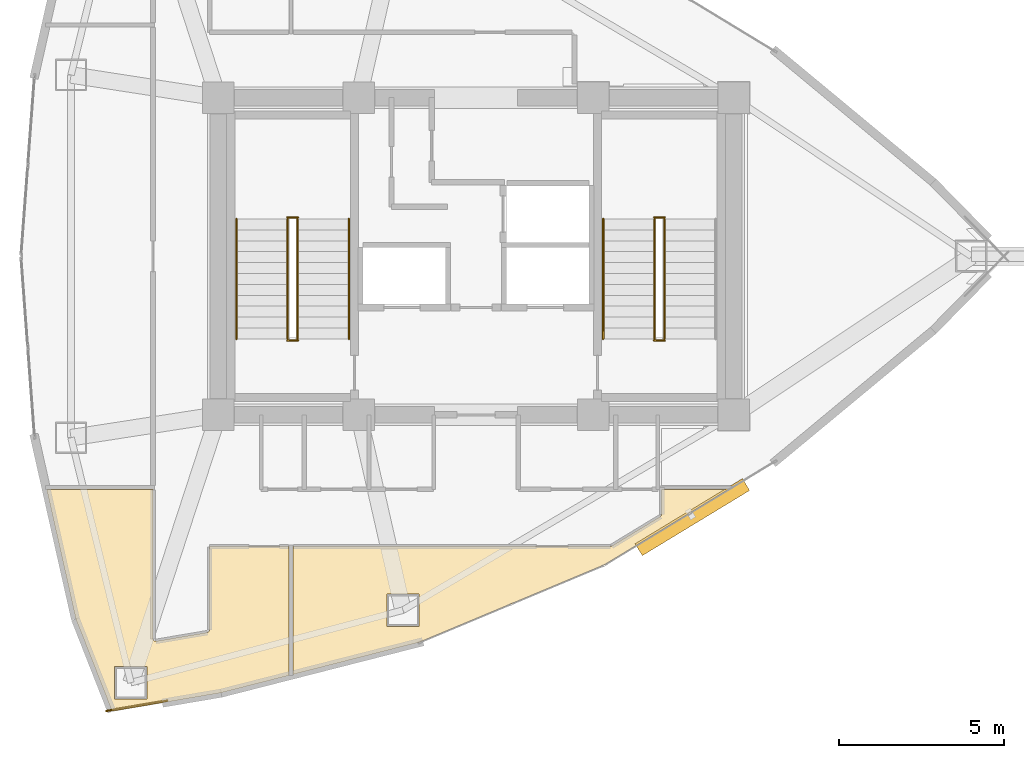
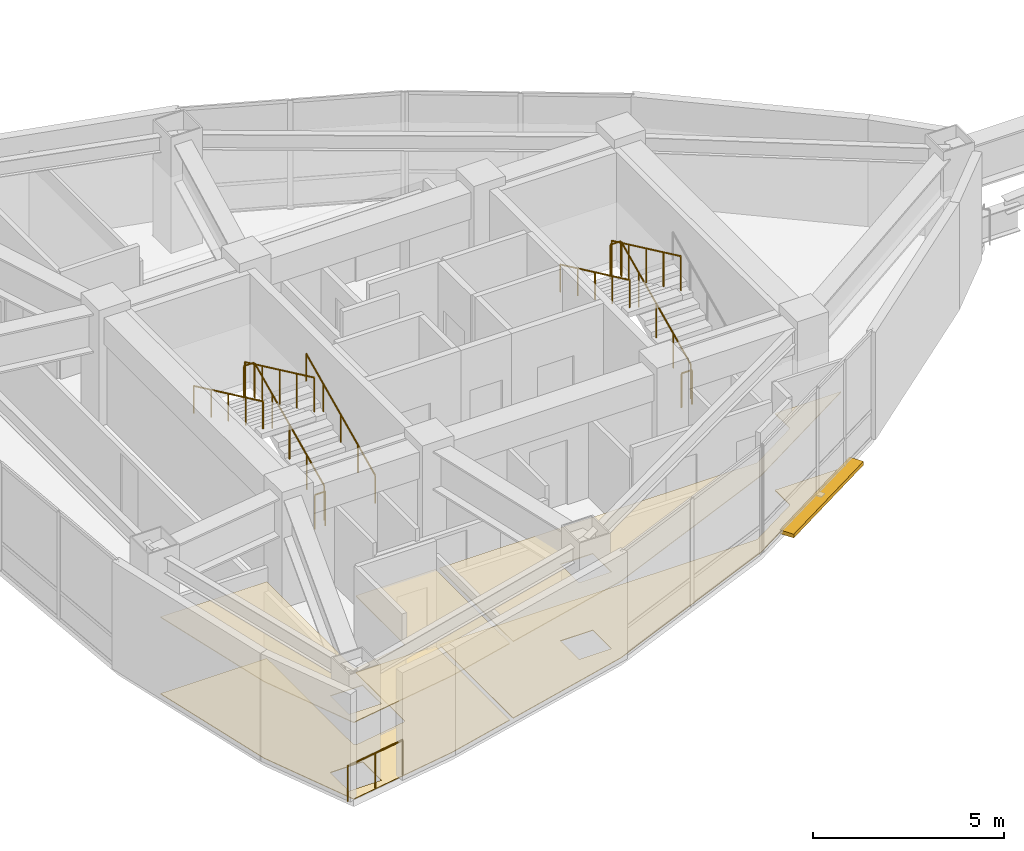
# One storey, part 14 of 15: 12 railings, 4 coverings, 1 shading device.
"""IFC4 building model written with IfcOpenShell, lengths in metres."""

from ifc_helpers import new_model, si_unit, direction, frame, origin, origin_2d, place, context, subcontext, project, spatial, polyline, rectangle, circle, outline, extrude, material, layer, layer_set, type_object, element, save


model = new_model("IFC4")

# Units and contexts
model_context = context("Model", 3, precision=1e-05, world=origin(), true_north=direction((0.0, 1.0)))
body_context = subcontext(model_context, "Body", "Model", "MODEL_VIEW")
ifc_project = project(units=[si_unit("LENGTHUNIT", "METRE"), si_unit("AREAUNIT", "SQUARE_METRE"), si_unit("VOLUMEUNIT", "CUBIC_METRE"), si_unit("PLANEANGLEUNIT", "RADIAN"), si_unit("MASSUNIT", "GRAM", prefix="KILO")], contexts=[model_context])

# Site, building, storey
site_placement = place(None, origin())
site = spatial("IfcSite", under=ifc_project, at=site_placement, CompositionType="ELEMENT")
building_placement = place(site_placement, origin())
building = spatial("IfcBuilding", under=site, at=building_placement, Name="Menara Vayukalpa", CompositionType="ELEMENT")
storey_placement = place(building_placement, frame((0.0, 0.0, 230.699951171875)))
storey = spatial("IfcBuildingStorey", under=building, at=storey_placement, Name="L58", CompositionType="ELEMENT", Elevation=230.699951171875)

# Coverings
ifc_material_1 = material(Name="Mineral Fibre Acoustic Ceiling Tile", Category="masonry")
ifc_layer_1 = layer(ifc_material_1, 0.02490234375)
ifc_layer_set_1 = layer_set([ifc_layer_1], Name="Mineral Fibre Acoustic Ceiling Tile")
covering_type_1 = type_object("IfcCoveringType", Name="COV-CLG1", PredefinedType="CEILING", material=ifc_layer_set_1)
covering_1_placement = place(storey_placement, frame((0.0, 0.0, 2.449951171875)))
element("IfcCovering", 1, at=covering_1_placement, inside=storey, type_object=covering_type_1, Name="L58 Corporate Training Classroom Acoustic Ceiling", PredefinedType="CEILING", context=body_context, shape_type="SweptSolid", body=[
    extrude(outline(polyline([(14.59423828125, 8.2314453125), (14.59326171875, 8.231201171875), (14.59228515625, 8.231201171875), (14.59130859375, 8.2314453125), (14.59033203125, 8.2314453125), (14.58935546875, 8.231689453125), (14.58837890625, 8.232177734375), (14.587646484375, 8.232666015625), (14.5869140625, 8.233154296875), (14.5859375, 8.233642578125), (14.585205078125, 8.234375), (14.584716796875, 8.235107421875), (14.583984375, 8.23583984375), (14.58349609375, 8.23681640625), (14.583251953125, 8.237548828125), (13.489013671875, 11.023681640625), (13.48876953125, 11.0244140625), (13.488525390625, 11.025146484375), (12.6103515625, 14.927734375), (12.6103515625, 14.9287109375), (12.610107421875, 14.9296875), (12.610107421875, 14.930908203125), (12.6103515625, 14.931884765625), (12.610595703125, 14.9326171875), (12.61083984375, 14.93359375), (12.611328125, 14.9345703125), (12.61181640625, 14.935302734375), (12.6123046875, 14.936279296875), (12.613037109375, 14.93701171875), (12.61376953125, 14.937744140625), (12.614501953125, 14.938232421875), (12.615478515625, 14.938720703125), (12.6162109375, 14.939208984375), (12.6171875, 14.939697265625), (12.6181640625, 14.939697265625), (12.619140625, 14.93994140625), (12.6201171875, 14.93994140625), (15.820068359375, 14.93994140625), (15.821044921875, 14.93994140625), (15.822021484375, 14.939697265625), (15.822998046875, 14.939697265625), (15.82373046875, 14.939208984375), (15.82470703125, 14.938720703125), (15.82568359375, 14.938232421875), (15.826416015625, 14.937744140625), (15.8271484375, 14.93701171875), (15.82763671875, 14.936279296875), (15.828369140625, 14.935546875), (15.828857421875, 14.934814453125), (15.8291015625, 14.933837890625), (15.82958984375, 14.932861328125), (15.829833984375, 14.931884765625), (15.830078125, 14.930908203125), (15.830078125, 14.929931640625), (15.830078125, 10.421142578125), (15.830322265625, 10.414306640625), (15.831298828125, 10.407470703125), (15.8330078125, 10.40087890625), (15.835205078125, 10.39453125), (15.837890625, 10.388427734375), (15.841552734375, 10.382568359375), (15.845458984375, 10.376953125), (15.849853515625, 10.3720703125), (15.854736328125, 10.367431640625), (15.860107421875, 10.36328125), (15.865966796875, 10.35986328125), (15.8720703125, 10.356689453125), (15.87841796875, 10.354248046875), (15.884765625, 10.3525390625), (15.8916015625, 10.351318359375), (15.898193359375, 10.350830078125), (15.905029296875, 10.35107421875), (15.912109375, 10.351806640625), (17.471435546875, 10.61669921875), (17.478515625, 10.6181640625), (17.485107421875, 10.62060546875), (17.49169921875, 10.623291015625), (17.497802734375, 10.626708984375), (17.50341796875, 10.630859375), (17.508544921875, 10.635498046875), (17.513427734375, 10.640625), (17.517822265625, 10.646240234375), (17.521484375, 10.652099609375), (17.5244140625, 10.658447265625), (17.52685546875, 10.664794921875), (17.528564453125, 10.671875), (17.529541015625, 10.6787109375), (17.530029296875, 10.685791015625), (17.530029296875, 13.2099609375), (17.530029296875, 13.2109375), (17.5302734375, 13.2119140625), (17.530517578125, 13.212890625), (17.53076171875, 13.2138671875), (17.53125, 13.214599609375), (17.53173828125, 13.215576171875), (17.5322265625, 13.21630859375), (17.532958984375, 13.217041015625), (17.53369140625, 13.2177734375), (17.534423828125, 13.21826171875), (17.535400390625, 13.21875), (17.5361328125, 13.21923828125), (17.537109375, 13.219482421875), (17.5380859375, 13.2197265625), (17.5390625, 13.219970703125), (17.5400390625, 13.219970703125), (19.929931640625, 13.219970703125), (19.930908203125, 13.219970703125), (19.931884765625, 13.2197265625), (19.932861328125, 13.219482421875), (19.933837890625, 13.21923828125), (19.934814453125, 13.21875), (19.935546875, 13.21826171875), (19.936279296875, 13.2177734375), (19.93701171875, 13.217041015625), (19.937744140625, 13.21630859375), (19.938232421875, 13.215576171875), (19.938720703125, 13.214599609375), (19.939208984375, 13.2138671875), (19.939697265625, 13.212890625), (19.939697265625, 13.2119140625), (19.93994140625, 13.2109375), (19.93994140625, 13.2099609375), (19.93994140625, 9.322509765625), (19.93994140625, 9.3212890625), (19.939697265625, 9.3203125), (19.939453125, 9.3193359375), (19.939208984375, 9.318359375), (19.938720703125, 9.3173828125), (19.938232421875, 9.316650390625), (19.9375, 9.31591796875), (19.93701171875, 9.315185546875), (19.93603515625, 9.314453125), (19.935302734375, 9.31396484375), (19.934326171875, 9.3134765625), (19.933349609375, 9.31298828125), (19.9326171875, 9.312744140625), (17.8798828125, 8.789306640625), (17.879150390625, 8.7890625), (14.59423828125, 8.2314453125)]), holes=[polyline([(15.644775390625, 9.58740234375), (14.664794921875, 9.58740234375), (14.664794921875, 8.607421875), (15.644775390625, 8.607421875), (15.644775390625, 9.58740234375)])]), origin(), (0.0, 0.0, 1.0), 0.025146484375),
])
covering_2_placement = place(storey_placement, frame((0.0, 0.0, 2.449951171875)))
element("IfcCovering", 2, at=covering_2_placement, inside=storey, type_object=covering_type_1, Name="L58 Corporate Training Classroom Acoustic Ceiling", PredefinedType="CEILING", context=body_context, shape_type="SweptSolid", body=[
    extrude(outline(polyline([(20.072509765625, 9.348388671875), (20.071533203125, 9.34814453125), (20.070556640625, 9.34814453125), (20.069580078125, 9.34814453125), (20.068603515625, 9.34814453125), (20.067626953125, 9.348388671875), (20.06689453125, 9.3486328125), (20.06591796875, 9.34912109375), (20.065185546875, 9.349365234375), (20.064208984375, 9.349853515625), (20.0634765625, 9.3505859375), (20.062744140625, 9.351318359375), (20.062255859375, 9.351806640625), (20.0615234375, 9.352783203125), (20.06103515625, 9.353515625), (20.060791015625, 9.3544921875), (20.060302734375, 9.355224609375), (20.060302734375, 9.356201171875), (20.06005859375, 9.357177734375), (20.06005859375, 9.358154296875), (20.06005859375, 13.2099609375), (20.06005859375, 13.2109375), (20.060302734375, 13.2119140625), (20.060302734375, 13.212890625), (20.060791015625, 13.2138671875), (20.061279296875, 13.214599609375), (20.061767578125, 13.215576171875), (20.062255859375, 13.21630859375), (20.06298828125, 13.217041015625), (20.063720703125, 13.2177734375), (20.064453125, 13.21826171875), (20.065185546875, 13.21875), (20.066162109375, 13.21923828125), (20.067138671875, 13.219482421875), (20.068115234375, 13.2197265625), (20.069091796875, 13.219970703125), (20.070068359375, 13.219970703125), (29.667236328125, 13.219970703125), (29.673828125, 13.22021484375), (29.68017578125, 13.22119140625), (29.686279296875, 13.22265625), (29.6923828125, 13.224609375), (29.6982421875, 13.22705078125), (29.7041015625, 13.230224609375), (31.18603515625, 14.130615234375), (31.1923828125, 14.134765625), (31.19775390625, 14.139404296875), (31.20263671875, 14.14453125), (31.20703125, 14.150146484375), (31.2109375, 14.15625), (31.214111328125, 14.16259765625), (31.216552734375, 14.16943359375), (31.218505859375, 14.176513671875), (31.219482421875, 14.183349609375), (31.219970703125, 14.19091796875), (31.219970703125, 14.849609375), (31.219482421875, 14.856689453125), (31.21875, 14.86376953125), (31.217041015625, 14.870361328125), (31.214599609375, 14.876708984375), (31.2119140625, 14.8828125), (31.211669921875, 14.883056640625), (31.211181640625, 14.8837890625), (31.210693359375, 14.884765625), (31.21044921875, 14.8857421875), (31.210205078125, 14.88671875), (31.2099609375, 14.8876953125), (31.2099609375, 14.888671875), (31.2099609375, 14.929931640625), (31.2099609375, 14.930908203125), (31.210205078125, 14.931884765625), (31.21044921875, 14.932861328125), (31.210693359375, 14.933837890625), (31.211181640625, 14.934814453125), (31.211669921875, 14.935546875), (31.21240234375, 14.936279296875), (31.212890625, 14.93701171875), (31.213623046875, 14.937744140625), (31.21435546875, 14.938232421875), (31.21533203125, 14.938720703125), (31.21630859375, 14.939208984375), (31.217041015625, 14.939697265625), (31.218017578125, 14.939697265625), (31.218994140625, 14.93994140625), (31.219970703125, 14.93994140625), (33.1953125, 14.93994140625), (33.1962890625, 14.93994140625), (33.197509765625, 14.939697265625), (33.198486328125, 14.939697265625), (33.19921875, 14.939208984375), (33.2001953125, 14.938720703125), (33.200927734375, 14.938232421875), (33.201904296875, 14.937744140625), (33.20263671875, 14.93701171875), (33.203125, 14.936279296875), (33.203857421875, 14.935302734375), (33.204345703125, 14.9345703125), (33.20458984375, 14.93359375), (33.205078125, 14.9326171875), (33.205322265625, 14.931640625), (33.205322265625, 14.9306640625), (33.205322265625, 14.9296875), (33.205322265625, 14.9287109375), (33.205078125, 14.927734375), (33.204833984375, 14.9267578125), (33.20458984375, 14.92578125), (33.2041015625, 14.925048828125), (33.20361328125, 14.924072265625), (33.202880859375, 14.92333984375), (33.2021484375, 14.922607421875), (33.201416015625, 14.922119140625), (33.20068359375, 14.92138671875), (29.47998046875, 12.661376953125), (29.479248046875, 12.660888671875), (29.478515625, 12.66064453125), (23.885986328125, 10.3212890625), (23.884765625, 10.32080078125), (20.072509765625, 9.348388671875)]), holes=[polyline([(23.87939453125, 11.781494140625), (22.8994140625, 11.781494140625), (22.8994140625, 10.801513671875), (23.87939453125, 10.801513671875), (23.87939453125, 11.781494140625)])]), origin(), (0.0, 0.0, 1.0), 0.025146484375),
])
ifc_material_2 = material(Name="Porcelain Stoneware Floor Tile", Category="masonry")
ifc_layer_2 = layer(ifc_material_2, 0.02001953125)
ifc_layer_set_2 = layer_set([ifc_layer_2], Name="Porcelain Stoneware Floor Tile")
covering_type_2 = type_object("IfcCoveringType", Name="COV-FLR1", PredefinedType="FLOORING", material=ifc_layer_set_2)
covering_3_placement = place(storey_placement, origin())
element("IfcCovering", 3, at=covering_3_placement, inside=storey, type_object=covering_type_2, Name="L58 Corporate Training Classroom Porcelain Flooring", PredefinedType="FLOORING", context=body_context, shape_type="SweptSolid", body=[
    extrude(outline(polyline([(14.59423828125, 8.2314453125), (14.59326171875, 8.231201171875), (14.59228515625, 8.231201171875), (14.59130859375, 8.2314453125), (14.59033203125, 8.2314453125), (14.58935546875, 8.231689453125), (14.58837890625, 8.232177734375), (14.587646484375, 8.232666015625), (14.5869140625, 8.233154296875), (14.5859375, 8.233642578125), (14.585205078125, 8.234375), (14.584716796875, 8.235107421875), (14.583984375, 8.23583984375), (14.58349609375, 8.23681640625), (14.583251953125, 8.237548828125), (13.489013671875, 11.023681640625), (13.48876953125, 11.0244140625), (13.488525390625, 11.025146484375), (12.6103515625, 14.927734375), (12.6103515625, 14.9287109375), (12.610107421875, 14.9296875), (12.610107421875, 14.930908203125), (12.6103515625, 14.931884765625), (12.610595703125, 14.9326171875), (12.61083984375, 14.93359375), (12.611328125, 14.9345703125), (12.61181640625, 14.935302734375), (12.6123046875, 14.936279296875), (12.613037109375, 14.93701171875), (12.61376953125, 14.937744140625), (12.614501953125, 14.938232421875), (12.615478515625, 14.938720703125), (12.6162109375, 14.939208984375), (12.6171875, 14.939697265625), (12.6181640625, 14.939697265625), (12.619140625, 14.93994140625), (12.6201171875, 14.93994140625), (15.820068359375, 14.93994140625), (15.821044921875, 14.93994140625), (15.822021484375, 14.939697265625), (15.822998046875, 14.939697265625), (15.82373046875, 14.939208984375), (15.82470703125, 14.938720703125), (15.82568359375, 14.938232421875), (15.826416015625, 14.937744140625), (15.8271484375, 14.93701171875), (15.82763671875, 14.936279296875), (15.828369140625, 14.935546875), (15.828857421875, 14.934814453125), (15.8291015625, 14.933837890625), (15.82958984375, 14.932861328125), (15.829833984375, 14.931884765625), (15.830078125, 14.930908203125), (15.830078125, 14.929931640625), (15.830078125, 10.421142578125), (15.830322265625, 10.414306640625), (15.831298828125, 10.407470703125), (15.8330078125, 10.40087890625), (15.835205078125, 10.39453125), (15.837890625, 10.388427734375), (15.841552734375, 10.382568359375), (15.845458984375, 10.376953125), (15.849853515625, 10.3720703125), (15.854736328125, 10.367431640625), (15.860107421875, 10.36328125), (15.865966796875, 10.35986328125), (15.8720703125, 10.356689453125), (15.87841796875, 10.354248046875), (15.884765625, 10.3525390625), (15.8916015625, 10.351318359375), (15.898193359375, 10.350830078125), (15.905029296875, 10.35107421875), (15.912109375, 10.351806640625), (17.471435546875, 10.61669921875), (17.478515625, 10.6181640625), (17.485107421875, 10.62060546875), (17.49169921875, 10.623291015625), (17.497802734375, 10.626708984375), (17.50341796875, 10.630859375), (17.508544921875, 10.635498046875), (17.513427734375, 10.640625), (17.517822265625, 10.646240234375), (17.521484375, 10.652099609375), (17.5244140625, 10.658447265625), (17.52685546875, 10.664794921875), (17.528564453125, 10.671875), (17.529541015625, 10.6787109375), (17.530029296875, 10.685791015625), (17.530029296875, 13.2099609375), (17.530029296875, 13.2109375), (17.5302734375, 13.2119140625), (17.530517578125, 13.212890625), (17.53076171875, 13.2138671875), (17.53125, 13.214599609375), (17.53173828125, 13.215576171875), (17.5322265625, 13.21630859375), (17.532958984375, 13.217041015625), (17.53369140625, 13.2177734375), (17.534423828125, 13.21826171875), (17.535400390625, 13.21875), (17.5361328125, 13.21923828125), (17.537109375, 13.219482421875), (17.5380859375, 13.2197265625), (17.5390625, 13.219970703125), (17.5400390625, 13.219970703125), (19.929931640625, 13.219970703125), (19.930908203125, 13.219970703125), (19.931884765625, 13.2197265625), (19.932861328125, 13.219482421875), (19.933837890625, 13.21923828125), (19.934814453125, 13.21875), (19.935546875, 13.21826171875), (19.936279296875, 13.2177734375), (19.93701171875, 13.217041015625), (19.937744140625, 13.21630859375), (19.938232421875, 13.215576171875), (19.938720703125, 13.214599609375), (19.939208984375, 13.2138671875), (19.939697265625, 13.212890625), (19.939697265625, 13.2119140625), (19.93994140625, 13.2109375), (19.93994140625, 13.2099609375), (19.93994140625, 9.322509765625), (19.93994140625, 9.3212890625), (19.939697265625, 9.3203125), (19.939453125, 9.3193359375), (19.939208984375, 9.318359375), (19.938720703125, 9.3173828125), (19.938232421875, 9.316650390625), (19.9375, 9.31591796875), (19.93701171875, 9.315185546875), (19.93603515625, 9.314453125), (19.935302734375, 9.31396484375), (19.934326171875, 9.3134765625), (19.933349609375, 9.31298828125), (19.9326171875, 9.312744140625), (17.8798828125, 8.789306640625), (17.879150390625, 8.7890625), (14.59423828125, 8.2314453125)]), holes=[polyline([(15.644775390625, 9.58740234375), (14.664794921875, 9.58740234375), (14.664794921875, 8.607421875), (15.644775390625, 8.607421875), (15.644775390625, 9.58740234375)])]), origin(), (0.0, 0.0, 1.0), 0.02001953125),
])
covering_4_placement = place(storey_placement, origin())
element("IfcCovering", 4, at=covering_4_placement, inside=storey, type_object=covering_type_2, Name="L58 Corporate Training Classroom Porcelain Flooring", PredefinedType="FLOORING", context=body_context, shape_type="SweptSolid", body=[
    extrude(outline(polyline([(20.072509765625, 9.348388671875), (20.071533203125, 9.34814453125), (20.070556640625, 9.34814453125), (20.069580078125, 9.34814453125), (20.068603515625, 9.34814453125), (20.067626953125, 9.348388671875), (20.06689453125, 9.3486328125), (20.06591796875, 9.34912109375), (20.065185546875, 9.349365234375), (20.064208984375, 9.349853515625), (20.0634765625, 9.3505859375), (20.062744140625, 9.351318359375), (20.062255859375, 9.351806640625), (20.0615234375, 9.352783203125), (20.06103515625, 9.353515625), (20.060791015625, 9.3544921875), (20.060302734375, 9.355224609375), (20.060302734375, 9.356201171875), (20.06005859375, 9.357177734375), (20.06005859375, 9.358154296875), (20.06005859375, 13.2099609375), (20.06005859375, 13.2109375), (20.060302734375, 13.2119140625), (20.060302734375, 13.212890625), (20.060791015625, 13.2138671875), (20.061279296875, 13.214599609375), (20.061767578125, 13.215576171875), (20.062255859375, 13.21630859375), (20.06298828125, 13.217041015625), (20.063720703125, 13.2177734375), (20.064453125, 13.21826171875), (20.065185546875, 13.21875), (20.066162109375, 13.21923828125), (20.067138671875, 13.219482421875), (20.068115234375, 13.2197265625), (20.069091796875, 13.219970703125), (20.070068359375, 13.219970703125), (29.667236328125, 13.219970703125), (29.673828125, 13.22021484375), (29.68017578125, 13.22119140625), (29.686279296875, 13.22265625), (29.6923828125, 13.224609375), (29.6982421875, 13.22705078125), (29.7041015625, 13.230224609375), (31.18603515625, 14.130615234375), (31.1923828125, 14.134765625), (31.19775390625, 14.139404296875), (31.20263671875, 14.14453125), (31.20703125, 14.150146484375), (31.2109375, 14.15625), (31.214111328125, 14.16259765625), (31.216552734375, 14.16943359375), (31.218505859375, 14.176513671875), (31.219482421875, 14.183349609375), (31.219970703125, 14.19091796875), (31.219970703125, 14.849609375), (31.219482421875, 14.856689453125), (31.21875, 14.86376953125), (31.217041015625, 14.870361328125), (31.214599609375, 14.876708984375), (31.2119140625, 14.8828125), (31.211669921875, 14.883056640625), (31.211181640625, 14.8837890625), (31.210693359375, 14.884765625), (31.21044921875, 14.8857421875), (31.210205078125, 14.88671875), (31.2099609375, 14.8876953125), (31.2099609375, 14.888671875), (31.2099609375, 14.929931640625), (31.2099609375, 14.930908203125), (31.210205078125, 14.931884765625), (31.21044921875, 14.932861328125), (31.210693359375, 14.933837890625), (31.211181640625, 14.934814453125), (31.211669921875, 14.935546875), (31.21240234375, 14.936279296875), (31.212890625, 14.93701171875), (31.213623046875, 14.937744140625), (31.21435546875, 14.938232421875), (31.21533203125, 14.938720703125), (31.21630859375, 14.939208984375), (31.217041015625, 14.939697265625), (31.218017578125, 14.939697265625), (31.218994140625, 14.93994140625), (31.219970703125, 14.93994140625), (33.1953125, 14.93994140625), (33.1962890625, 14.93994140625), (33.197509765625, 14.939697265625), (33.198486328125, 14.939697265625), (33.19921875, 14.939208984375), (33.2001953125, 14.938720703125), (33.200927734375, 14.938232421875), (33.201904296875, 14.937744140625), (33.20263671875, 14.93701171875), (33.203125, 14.936279296875), (33.203857421875, 14.935302734375), (33.204345703125, 14.9345703125), (33.20458984375, 14.93359375), (33.205078125, 14.9326171875), (33.205322265625, 14.931640625), (33.205322265625, 14.9306640625), (33.205322265625, 14.9296875), (33.205322265625, 14.9287109375), (33.205078125, 14.927734375), (33.204833984375, 14.9267578125), (33.20458984375, 14.92578125), (33.2041015625, 14.925048828125), (33.20361328125, 14.924072265625), (33.202880859375, 14.92333984375), (33.2021484375, 14.922607421875), (33.201416015625, 14.922119140625), (33.20068359375, 14.92138671875), (29.47998046875, 12.661376953125), (29.479248046875, 12.660888671875), (29.478515625, 12.66064453125), (23.885986328125, 10.3212890625), (23.884765625, 10.32080078125), (20.072509765625, 9.348388671875)]), holes=[polyline([(23.87939453125, 11.781494140625), (22.8994140625, 11.781494140625), (22.8994140625, 10.801513671875), (23.87939453125, 10.801513671875), (23.87939453125, 11.781494140625)])]), origin(), (0.0, 0.0, 1.0), 0.02001953125),
])

# Railings
ifc_material_3 = material(Name="Laminated Glass and Stainless Steel 316 Guardrail", Category="steel")
railing_type_1 = type_object("IfcRailingType", Name="RLG-EXT115", PredefinedType="GUARDRAIL", material=ifc_material_3)
railing_1_placement = place(storey_placement, frame((14.413818359375, 8.241455078125, 0.0)))
element("IfcRailing", 5, at=railing_1_placement, inside=storey, type_object=railing_type_1, Name="L58 Column Corner Spandrel Guardrail 14-1", PredefinedType="GUARDRAIL", context=body_context, shape_type="SweptSolid", body=[
    extrude(circle(Radius=0.02392578125, at=origin_2d()), frame((0.0, 0.0, 1.1259765625), z_axis=(0.985895107684, 0.167364382844, 0.0), x_axis=(-0.167364382844, 0.985895107684, 0.0)), (0.0, 0.0, 1.0), 1.86865234375),
    extrude(circle(Radius=0.02099609375, at=origin_2d()), origin(), (0.0, 0.0, 1.0), 1.101806640625),
    extrude(circle(Radius=0.02099609375, at=origin_2d()), frame((0.921142578125, 0.15625, 0.0)), (0.0, 0.0, 1.0), 1.101806640625),
    extrude(circle(Radius=0.02099609375, at=origin_2d()), frame((1.84228515625, 0.312744140625, 0.0)), (0.0, 0.0, 1.0), 1.101806640625),
])
ifc_material_4 = material(Name="Powder-Coated Galvanised Steel Guardrail", Category="steel")
railing_type_2 = type_object("IfcRailingType", Name="RLG-STG110", PredefinedType="GUARDRAIL", material=ifc_material_4)
railing_2_placement = place(storey_placement, frame((20.199951171875, 19.5, 0.155029296875)))
element("IfcRailing", 6, at=railing_2_placement, inside=storey, type_object=railing_type_2, Name="L58 ST-1 stair guard 1", PredefinedType="GUARDRAIL", context=body_context, shape_type="SweptSolid", body=[
    extrude(circle(Radius=0.02392578125, at=origin_2d()), frame((0.0, 0.0, 1.09619140625), z_axis=(0.0, 0.90511648382, 0.425163675209), x_axis=(-1.0, 0.0, 0.0)), (0.0, 0.0, 1.0), 4.010498046875),
    extrude(circle(Radius=0.02099609375, at=origin_2d()), origin(), (0.0, 0.0, 1.0), 1.072021484375),
    extrude(circle(Radius=0.02099609375, at=origin_2d()), frame((0.0, 0.907470703125, 0.42626953125)), (0.0, 0.0, 1.0), 1.072021484375),
    extrude(circle(Radius=0.02099609375, at=origin_2d()), frame((0.0, 1.81494140625, 0.8525390625)), (0.0, 0.0, 1.0), 1.072021484375),
    extrude(circle(Radius=0.02099609375, at=origin_2d()), frame((0.0, 2.722412109375, 1.27880859375)), (0.0, 0.0, 1.0), 1.072021484375),
    extrude(circle(Radius=0.02099609375, at=origin_2d()), frame((0.0, 3.6298828125, 1.705078125)), (0.0, 0.0, 1.0), 1.072021484375),
])
railing_3_placement = place(storey_placement, frame((20.2099609375, 23.179931640625, 1.860107421875)))
element("IfcRailing", 7, at=railing_3_placement, inside=storey, type_object=railing_type_2, Name="L58 ST-1 stair guard 2", PredefinedType="GUARDRAIL", context=body_context, shape_type="SweptSolid", body=[
    extrude(circle(Radius=0.02392578125, at=origin_2d()), frame((0.0, 0.0, 1.09619140625), z_axis=(-1.0, 0.0, 0.0), x_axis=(0.0, -1.0, 0.0)), (0.0, 0.0, 1.0), 0.320068359375),
    extrude(circle(Radius=0.02099609375, at=origin_2d()), origin(), (0.0, 0.0, 1.0), 1.072021484375),
    extrude(circle(Radius=0.02099609375, at=origin_2d()), frame((-0.320068359375, 0.0, 0.0)), (0.0, 0.0, 1.0), 1.072021484375),
])
railing_4_placement = place(storey_placement, frame((19.89990234375, 23.1298828125, 2.01513671875)))
element("IfcRailing", 8, at=railing_4_placement, inside=storey, type_object=railing_type_2, Name="L58 ST-1 stair guard 3", PredefinedType="GUARDRAIL", context=body_context, shape_type="SweptSolid", body=[
    extrude(circle(Radius=0.02392578125, at=origin_2d()), frame((0.0, 0.0, 1.09619140625), z_axis=(0.0, -0.90513990983, 0.425113800803), x_axis=(1.0, 0.0, 0.0)), (0.0, 0.0, 1.0), 4.01025390625),
    extrude(circle(Radius=0.02099609375, at=origin_2d()), origin(), (0.0, 0.0, 1.0), 1.072021484375),
    extrude(circle(Radius=0.02099609375, at=origin_2d()), frame((0.0, -0.907470703125, 0.42626953125)), (0.0, 0.0, 1.0), 1.072021484375),
    extrude(circle(Radius=0.02099609375, at=origin_2d()), frame((0.0, -1.81494140625, 0.8525390625)), (0.0, 0.0, 1.0), 1.072021484375),
    extrude(circle(Radius=0.02099609375, at=origin_2d()), frame((0.0, -2.722412109375, 1.278564453125)), (0.0, 0.0, 1.0), 1.072021484375),
    extrude(circle(Radius=0.02099609375, at=origin_2d()), frame((0.0, -3.6298828125, 1.704833984375)), (0.0, 0.0, 1.0), 1.072021484375),
])
railing_5_placement = place(storey_placement, frame((20.2099609375, 19.449951171875, 0.0)))
element("IfcRailing", 9, at=railing_5_placement, inside=storey, type_object=railing_type_2, Name="L58 ST-1 stair guard 4", PredefinedType="GUARDRAIL", context=body_context, shape_type="SweptSolid", body=[
    extrude(circle(Radius=0.02392578125, at=origin_2d()), frame((0.0, 0.0, 1.09619140625), z_axis=(-1.0, 0.0, 0.0), x_axis=(0.0, -1.0, 0.0)), (0.0, 0.0, 1.0), 0.320068359375),
    extrude(circle(Radius=0.02099609375, at=origin_2d()), origin(), (0.0, 0.0, 1.0), 1.072021484375),
    extrude(circle(Radius=0.02099609375, at=origin_2d()), frame((-0.320068359375, 0.0, 0.0)), (0.0, 0.0, 1.0), 1.072021484375),
])
railing_6_placement = place(storey_placement, frame((31.300048828125, 19.5, 0.155029296875)))
element("IfcRailing", 10, at=railing_6_placement, inside=storey, type_object=railing_type_2, Name="L58 ST-2 stair guard 1", PredefinedType="GUARDRAIL", context=body_context, shape_type="SweptSolid", body=[
    extrude(circle(Radius=0.02392578125, at=origin_2d()), frame((0.0, 0.0, 1.09619140625), z_axis=(0.0, 0.90511648382, 0.425163675209), x_axis=(-1.0, 0.0, 0.0)), (0.0, 0.0, 1.0), 4.010498046875),
    extrude(circle(Radius=0.02099609375, at=origin_2d()), origin(), (0.0, 0.0, 1.0), 1.072021484375),
    extrude(circle(Radius=0.02099609375, at=origin_2d()), frame((0.0, 0.907470703125, 0.42626953125)), (0.0, 0.0, 1.0), 1.072021484375),
    extrude(circle(Radius=0.02099609375, at=origin_2d()), frame((0.0, 1.81494140625, 0.8525390625)), (0.0, 0.0, 1.0), 1.072021484375),
    extrude(circle(Radius=0.02099609375, at=origin_2d()), frame((0.0, 2.722412109375, 1.27880859375)), (0.0, 0.0, 1.0), 1.072021484375),
    extrude(circle(Radius=0.02099609375, at=origin_2d()), frame((0.0, 3.6298828125, 1.705078125)), (0.0, 0.0, 1.0), 1.072021484375),
])
railing_7_placement = place(storey_placement, frame((31.31005859375, 23.179931640625, 1.860107421875)))
element("IfcRailing", 11, at=railing_7_placement, inside=storey, type_object=railing_type_2, Name="L58 ST-2 stair guard 2", PredefinedType="GUARDRAIL", context=body_context, shape_type="SweptSolid", body=[
    extrude(circle(Radius=0.02392578125, at=origin_2d()), frame((0.0, 0.0, 1.09619140625), z_axis=(-1.0, 0.0, 0.0), x_axis=(0.0, -1.0, 0.0)), (0.0, 0.0, 1.0), 0.320068359375),
    extrude(circle(Radius=0.02099609375, at=origin_2d()), origin(), (0.0, 0.0, 1.0), 1.072021484375),
    extrude(circle(Radius=0.02099609375, at=origin_2d()), frame((-0.320068359375, 0.0, 0.0)), (0.0, 0.0, 1.0), 1.072021484375),
])
railing_8_placement = place(storey_placement, frame((31.0, 23.1298828125, 2.01513671875)))
element("IfcRailing", 12, at=railing_8_placement, inside=storey, type_object=railing_type_2, Name="L58 ST-2 stair guard 3", PredefinedType="GUARDRAIL", context=body_context, shape_type="SweptSolid", body=[
    extrude(circle(Radius=0.02392578125, at=origin_2d()), frame((0.0, 0.0, 1.09619140625), z_axis=(0.0, -0.90513990983, 0.425113800803), x_axis=(1.0, 0.0, 0.0)), (0.0, 0.0, 1.0), 4.01025390625),
    extrude(circle(Radius=0.02099609375, at=origin_2d()), origin(), (0.0, 0.0, 1.0), 1.072021484375),
    extrude(circle(Radius=0.02099609375, at=origin_2d()), frame((0.0, -0.907470703125, 0.42626953125)), (0.0, 0.0, 1.0), 1.072021484375),
    extrude(circle(Radius=0.02099609375, at=origin_2d()), frame((0.0, -1.81494140625, 0.8525390625)), (0.0, 0.0, 1.0), 1.072021484375),
    extrude(circle(Radius=0.02099609375, at=origin_2d()), frame((0.0, -2.722412109375, 1.278564453125)), (0.0, 0.0, 1.0), 1.072021484375),
    extrude(circle(Radius=0.02099609375, at=origin_2d()), frame((0.0, -3.6298828125, 1.704833984375)), (0.0, 0.0, 1.0), 1.072021484375),
])
railing_9_placement = place(storey_placement, frame((31.31005859375, 19.449951171875, 0.0)))
element("IfcRailing", 13, at=railing_9_placement, inside=storey, type_object=railing_type_2, Name="L58 ST-2 stair guard 4", PredefinedType="GUARDRAIL", context=body_context, shape_type="SweptSolid", body=[
    extrude(circle(Radius=0.02392578125, at=origin_2d()), frame((0.0, 0.0, 1.09619140625), z_axis=(-1.0, 0.0, 0.0), x_axis=(0.0, -1.0, 0.0)), (0.0, 0.0, 1.0), 0.320068359375),
    extrude(circle(Radius=0.02099609375, at=origin_2d()), origin(), (0.0, 0.0, 1.0), 1.072021484375),
    extrude(circle(Radius=0.02099609375, at=origin_2d()), frame((-0.320068359375, 0.0, 0.0)), (0.0, 0.0, 1.0), 1.072021484375),
])
ifc_material_5 = material(Name="Stainless Steel 316 Tubular Handrail", Category="steel")
railing_type_3 = type_object("IfcRailingType", Name="RLG-STH090", PredefinedType="HANDRAIL", material=ifc_material_5)
railing_10_placement = place(storey_placement, frame((21.75, 19.5, 0.155029296875)))
element("IfcRailing", 14, at=railing_10_placement, inside=storey, type_object=railing_type_3, Name="L58 ST-1 stair handrail 1", PredefinedType="HANDRAIL", context=body_context, shape_type="SweptSolid", body=[
    extrude(circle(Radius=0.02392578125, at=origin_2d()), frame((0.0, 0.0, 0.8759765625), z_axis=(0.0, 0.90511648382, 0.425163675209), x_axis=(-1.0, 0.0, 0.0)), (0.0, 0.0, 1.0), 4.010498046875),
    extrude(circle(Radius=0.02099609375, at=origin_2d()), origin(), (0.0, 0.0, 1.0), 0.851806640625),
    extrude(circle(Radius=0.02099609375, at=origin_2d()), frame((0.0, 0.907470703125, 0.42626953125)), (0.0, 0.0, 1.0), 0.851806640625),
    extrude(circle(Radius=0.02099609375, at=origin_2d()), frame((0.0, 1.81494140625, 0.8525390625)), (0.0, 0.0, 1.0), 0.851806640625),
    extrude(circle(Radius=0.02099609375, at=origin_2d()), frame((0.0, 2.722412109375, 1.27880859375)), (0.0, 0.0, 1.0), 0.851806640625),
    extrude(circle(Radius=0.02099609375, at=origin_2d()), frame((0.0, 3.6298828125, 1.705078125)), (0.0, 0.0, 1.0), 0.851806640625),
])
for number, where, name in (
    (15, (18.35009765625, 23.1298828125, 2.01513671875), "L58 ST-1 stair handrail 2"),
    (16, (29.449951171875, 23.1298828125, 2.01513671875), "L58 ST-2 stair handrail 2"),
):
    element("IfcRailing", number, at=place(storey_placement, frame(where)), inside=storey, type_object=railing_type_3, Name=name, PredefinedType="HANDRAIL", context=body_context, shape_type="SweptSolid", body=[
        extrude(circle(Radius=0.02392578125, at=origin_2d()), frame((0.0, 0.0, 0.8759765625), z_axis=(0.0, -0.90513990983, 0.425113800803), x_axis=(1.0, 0.0, 0.0)), (0.0, 0.0, 1.0), 4.01025390625),
        extrude(circle(Radius=0.02099609375, at=origin_2d()), origin(), (0.0, 0.0, 1.0), 0.851806640625),
        extrude(circle(Radius=0.02099609375, at=origin_2d()), frame((0.0, -0.907470703125, 0.42626953125)), (0.0, 0.0, 1.0), 0.851806640625),
        extrude(circle(Radius=0.02099609375, at=origin_2d()), frame((0.0, -1.81494140625, 0.8525390625)), (0.0, 0.0, 1.0), 0.851806640625),
        extrude(circle(Radius=0.02099609375, at=origin_2d()), frame((0.0, -2.722412109375, 1.278564453125)), (0.0, 0.0, 1.0), 0.851806640625),
        extrude(circle(Radius=0.02099609375, at=origin_2d()), frame((0.0, -3.6298828125, 1.704833984375)), (0.0, 0.0, 1.0), 0.851806640625),
    ])

# Shading device
ifc_material_6 = material(Name="Glazed Terracotta Ceramic Baguette Extrusion", Category="masonry")
ifc_layer_3 = layer(ifc_material_6, 0.1201171875)
ifc_layer_set_3 = layer_set([ifc_layer_3], Name="Glazed Terracotta Ceramic Baguette Extrusion")
shading_device_type = type_object("IfcShadingDeviceType", Name="SHD-SS1", PredefinedType="USERDEFINED", material=ifc_layer_set_3)
shading_device_placement = place(storey_placement, frame((32.148193359375, 14.106689453125, -0.10009765625), z_axis=(0.0, 0.0, 1.0), x_axis=(0.85466730962, 0.519176068272, 0.0)))
element("IfcShadingDevice", 17, at=shading_device_placement, inside=storey, type_object=shading_device_type, Name="L58 Horizontal Terracotta Sunshade Band 17", ObjectType="SUNSHADE", PredefinedType="USERDEFINED", context=body_context, shape_type="SweptSolid", body=[
    extrude(rectangle(XDim=3.800048828125, YDim=0.419921875, at=origin_2d()), origin(), (0.0, 0.0, 1.0), 0.1201171875),
])

save(model, "model.ifc")
